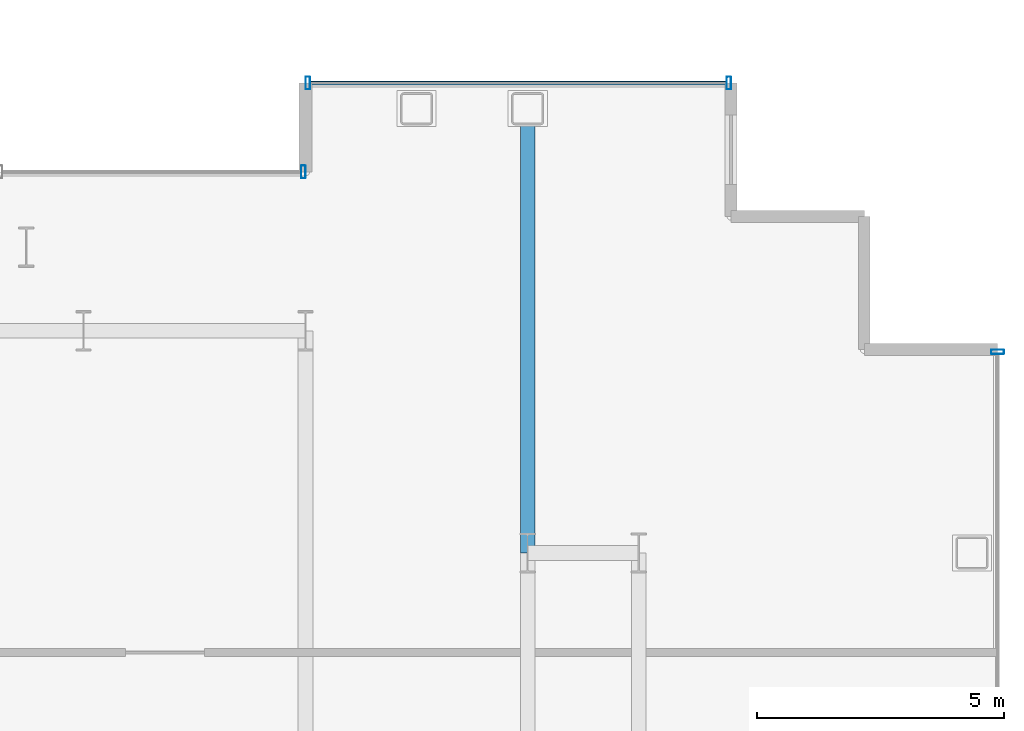
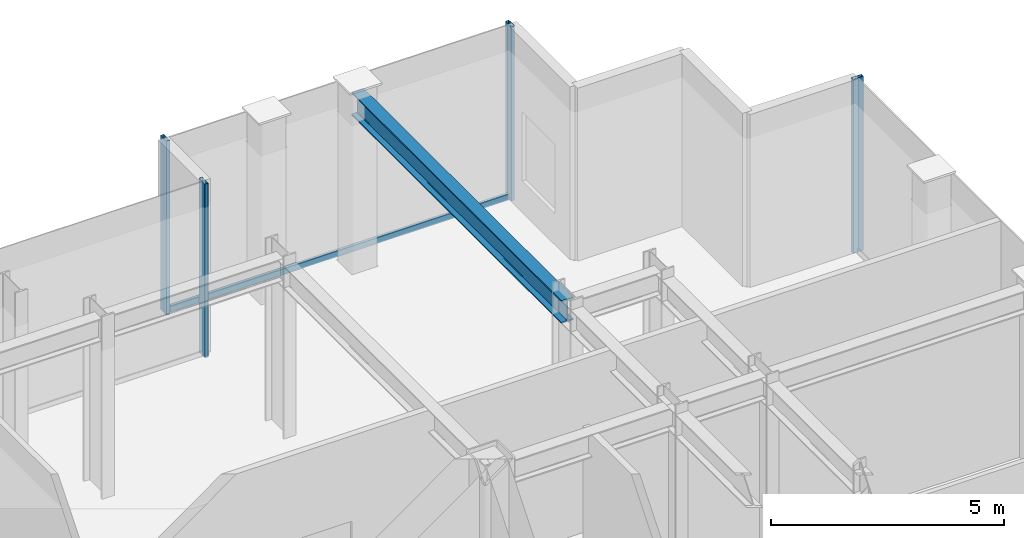
# One storey, part 12 of 20: 5 members, 1 beam, 3 elements without a shape of their own.
"""IFC4 building model written with IfcOpenShell, lengths in metres."""

from ifc_helpers import new_model, si_unit, direction, frame, origin, origin_2d, place, context, subcontext, project, spatial, hollow_rectangle, i_section, extrude, source, transform, mapped, material, layer, layer_set, material_profile, profile_set, type_object, element, aggregate, save


model = new_model("IFC4")

# Units and contexts
model_context = context("Model", 3, precision=1e-05, world=origin(), true_north=direction((0.0, 1.0)))
body_context = subcontext(model_context, "Body", "Model", "MODEL_VIEW")
ifc_project = project(units=[si_unit("LENGTHUNIT", "METRE"), si_unit("AREAUNIT", "SQUARE_METRE"), si_unit("VOLUMEUNIT", "CUBIC_METRE"), si_unit("PLANEANGLEUNIT", "RADIAN"), si_unit("MASSUNIT", "GRAM", prefix="KILO")], contexts=[model_context])

# Site, building, storey
site_placement = place(None, origin())
site = spatial("IfcSite", under=ifc_project, at=site_placement, CompositionType="ELEMENT")
building_placement = place(site_placement, origin())
building = spatial("IfcBuilding", under=site, at=building_placement, Name="Nefas-Gora Pilgrimage Tower", CompositionType="ELEMENT")
storey_placement = place(building_placement, frame((0.0, 0.0, 259.800048828125)))
storey = spatial("IfcBuildingStorey", under=building, at=storey_placement, Name="L65", CompositionType="ELEMENT", Elevation=259.800048828125)

# Beam
ifc_material_1 = material(Name="Steel S355", Category="steel")
ifc_material_profile_1 = material_profile(ifc_material_1, i_section(OverallWidth=0.300048828125, OverallDepth=0.60009765625, WebThickness=0.015380859375, FlangeThickness=0.030029296875, FilletRadius=0.027099609375, at=origin_2d()), Name="HEB 600")
ifc_profile_set_1 = profile_set([ifc_material_profile_1], Name="Steel S355")
beam_type = type_object("IfcBeamType", Name="BM-GIR-HEB600", PredefinedType="BEAM", material=ifc_profile_set_1)
shared_shape_1 = source(origin(), body_context, "Body", "SweptSolid", [
    extrude(i_section(OverallWidth=0.300048828125, OverallDepth=0.60009765625, WebThickness=0.015380859375, FlangeThickness=0.030029296875, FilletRadius=0.027099609375, at=origin_2d()), origin(), (0.0, 0.0, 1.0), 9.0),
])
beam_placement = place(storey_placement, frame((15.75, 13.5, 4.25), z_axis=(0.0, 1.0, 0.0), x_axis=(-1.0, 0.0, 0.0)))
element("IfcBeam", 1, at=beam_placement, inside=storey, type_object=beam_type, Name="L65 G-04 beam", PredefinedType="BEAM", context=body_context, shape_type="MappedRepresentation", body=[
    mapped(shared_shape_1, transform((0.0, 0.0, 0.0), x_axis=(1.0, 0.0, 0.0), y_axis=(0.0, 1.0, 0.0), z_axis=(0.0, 0.0, 1.0), scale=1.0)),
])

# Curtain wall, member
ifc_material_2 = material(Name="Dark ceramic-fritted solar-control aluminium-glass curtain wall", Category="aluminium")
ifc_layer_1 = layer(ifc_material_2, 0.219970703125)
ifc_layer_set_1 = layer_set([ifc_layer_1], Name="Dark ceramic-fritted solar-control aluminium-glass curtain wall")
curtain_wall_type_1 = type_object("IfcCurtainWallType", Name="CW-SYS-5", PredefinedType="NOTDEFINED", material=ifc_layer_set_1)
curtain_wall_1_placement = place(storey_placement, origin())
curtain_wall_1 = element("IfcCurtainWall", 2, at=curtain_wall_1_placement, inside=storey, type_object=curtain_wall_type_1, Name="L65 Unitised Curtain Wall CW5", PredefinedType="NOTDEFINED")
ifc_material_3 = material(Name="Anodised architectural aluminium", Category="aluminium")
ifc_material_profile_2 = material_profile(ifc_material_3, hollow_rectangle(XDim=0.090087890625, YDim=0.260009765625, WallThickness=0.006103515625, InnerFilletRadius=0.006103515625, OuterFilletRadius=0.011962890625, at=origin_2d()), Name="ALU MULLION 90x260")
ifc_profile_set_2 = profile_set([ifc_material_profile_2], Name="Anodised architectural aluminium")
member_type_1 = type_object("IfcMemberType", Name="CWM-MUL-5", PredefinedType="MULLION", material=ifc_profile_set_2)
shared_shape_2 = source(origin(), body_context, "Body", "SweptSolid", [
    extrude(hollow_rectangle(XDim=0.090087890625, YDim=0.260009765625, WallThickness=0.006103515625, InnerFilletRadius=0.006103515625, OuterFilletRadius=0.011962890625, at=origin_2d()), origin(), (0.0, 0.0, 1.0), 4.550048828125),
])
member_1_placement = place(storey_placement, frame((11.205078125, 21.219970703125, 0.0), z_axis=(0.0, 0.0, 1.0), x_axis=(-1.0, 0.0, 0.0)))
member_1 = element("IfcMember", 3, at=member_1_placement, type_object=member_type_1, Name="CW5 Mullion 1", PredefinedType="MULLION", context=body_context, shape_type="MappedRepresentation", body=[
    mapped(shared_shape_2, transform((0.0, 0.0, 0.0), x_axis=(1.0, 0.0, 0.0), y_axis=(0.0, 1.0, 0.0), z_axis=(0.0, 0.0, 1.0), scale=1.0)),
])
aggregate(curtain_wall_1, [member_1])

ifc_layer_2 = layer(ifc_material_2, 0.219970703125)
ifc_layer_set_2 = layer_set([ifc_layer_2], Name="Dark ceramic-fritted solar-control aluminium-glass curtain wall")
curtain_wall_type_2 = type_object("IfcCurtainWallType", Name="CW-SYS-3", PredefinedType="NOTDEFINED", material=ifc_layer_set_2)
curtain_wall_2_placement = place(storey_placement, origin())
curtain_wall_2 = element("IfcCurtainWall", 4, at=curtain_wall_2_placement, inside=storey, type_object=curtain_wall_type_2, Name="L65 Unitised Curtain Wall CW3", PredefinedType="NOTDEFINED")
ifc_material_profile_3 = material_profile(ifc_material_3, hollow_rectangle(XDim=0.080078125, YDim=0.159912109375, WallThickness=0.00439453125, InnerFilletRadius=0.00439453125, OuterFilletRadius=0.009033203125, at=origin_2d()), Name="ALU TRANSOM 80x160")
ifc_profile_set_3 = profile_set([ifc_material_profile_3], Name="Anodised architectural aluminium")
member_type_2 = type_object("IfcMemberType", Name="CWM-TRN-3", PredefinedType="USERDEFINED", material=ifc_profile_set_3)
shared_shape_3 = source(origin(), body_context, "Body", "SweptSolid", [
    extrude(hollow_rectangle(XDim=0.080078125, YDim=0.159912109375, WallThickness=0.00439453125, InnerFilletRadius=0.00439453125, OuterFilletRadius=0.009033203125, at=origin_2d()), origin(), (0.0, 0.0, 1.0), 8.43994140625),
])
member_2_placement = place(storey_placement, frame((19.780029296875, 23.02001953125, 0.050048828125), z_axis=(-1.0, 0.0, 0.0), x_axis=(0.0, -1.0, 0.0)))
member_2 = element("IfcMember", 5, at=member_2_placement, type_object=member_type_2, Name="CW3 Spandrel Transom", ObjectType="TRANSOM", PredefinedType="USERDEFINED", context=body_context, shape_type="MappedRepresentation", body=[
    mapped(shared_shape_3, transform((0.0, 0.0, 0.0), x_axis=(1.0, 0.0, 0.0), y_axis=(0.0, 1.0, 0.0), z_axis=(0.0, 0.0, 1.0), scale=1.0)),
])

curtain_wall_3_placement = place(storey_placement, origin())
curtain_wall_3 = element("IfcCurtainWall", 6, at=curtain_wall_3_placement, inside=storey, type_object=curtain_wall_type_2, Name="L65 Unitised Curtain Wall CW3", PredefinedType="NOTDEFINED")
ifc_material_profile_4 = material_profile(ifc_material_3, hollow_rectangle(XDim=0.090087890625, YDim=0.260009765625, WallThickness=0.006103515625, InnerFilletRadius=0.006103515625, OuterFilletRadius=0.011962890625, at=origin_2d()), Name="ALU MULLION 90x260")
ifc_profile_set_4 = profile_set([ifc_material_profile_4], Name="Anodised architectural aluminium")
member_type_3 = type_object("IfcMemberType", Name="CWM-MUL-3", PredefinedType="MULLION", material=ifc_profile_set_4)
shared_shape_4 = source(origin(), body_context, "Body", "SweptSolid", [
    extrude(hollow_rectangle(XDim=0.090087890625, YDim=0.260009765625, WallThickness=0.006103515625, InnerFilletRadius=0.006103515625, OuterFilletRadius=0.011962890625, at=origin_2d()), origin(), (0.0, 0.0, 1.0), 4.550048828125),
])
member_3_placement = place(storey_placement, frame((25.27001953125, 17.574951171875, 0.0), z_axis=(0.0, 0.0, 1.0), x_axis=(0.0, 1.0, 0.0)))
member_3 = element("IfcMember", 7, at=member_3_placement, type_object=member_type_3, Name="CW3 Mullion 2", PredefinedType="MULLION", context=body_context, shape_type="MappedRepresentation", body=[
    mapped(shared_shape_4, transform((0.0, 0.0, 0.0), x_axis=(1.0, 0.0, 0.0), y_axis=(0.0, 1.0, 0.0), z_axis=(0.0, 0.0, 1.0), scale=1.0)),
])
aggregate(curtain_wall_3, [member_3])

# Member
member_4_placement = place(storey_placement, frame((19.824951171875, 23.02001953125, 0.0), z_axis=(0.0, 0.0, 1.0), x_axis=(-1.0, 0.0, 0.0)))
member_4 = element("IfcMember", 8, at=member_4_placement, type_object=member_type_3, Name="CW3 Mullion 1", PredefinedType="MULLION", context=body_context, shape_type="MappedRepresentation", body=[
    mapped(shared_shape_4, transform((0.0, 0.0, 0.0), x_axis=(1.0, 0.0, 0.0), y_axis=(0.0, 1.0, 0.0), z_axis=(0.0, 0.0, 1.0), scale=1.0)),
])

member_5_placement = place(storey_placement, frame((11.294921875, 23.02001953125, 0.0), z_axis=(0.0, 0.0, 1.0), x_axis=(-1.0, 0.0, 0.0)))
member_5 = element("IfcMember", 9, at=member_5_placement, type_object=member_type_3, Name="CW3 Mullion 2", PredefinedType="MULLION", context=body_context, shape_type="MappedRepresentation", body=[
    mapped(shared_shape_4, transform((0.0, 0.0, 0.0), x_axis=(1.0, 0.0, 0.0), y_axis=(0.0, 1.0, 0.0), z_axis=(0.0, 0.0, 1.0), scale=1.0)),
])

aggregate(curtain_wall_2, [member_4, member_5, member_2])

save(model, "model.ifc")
